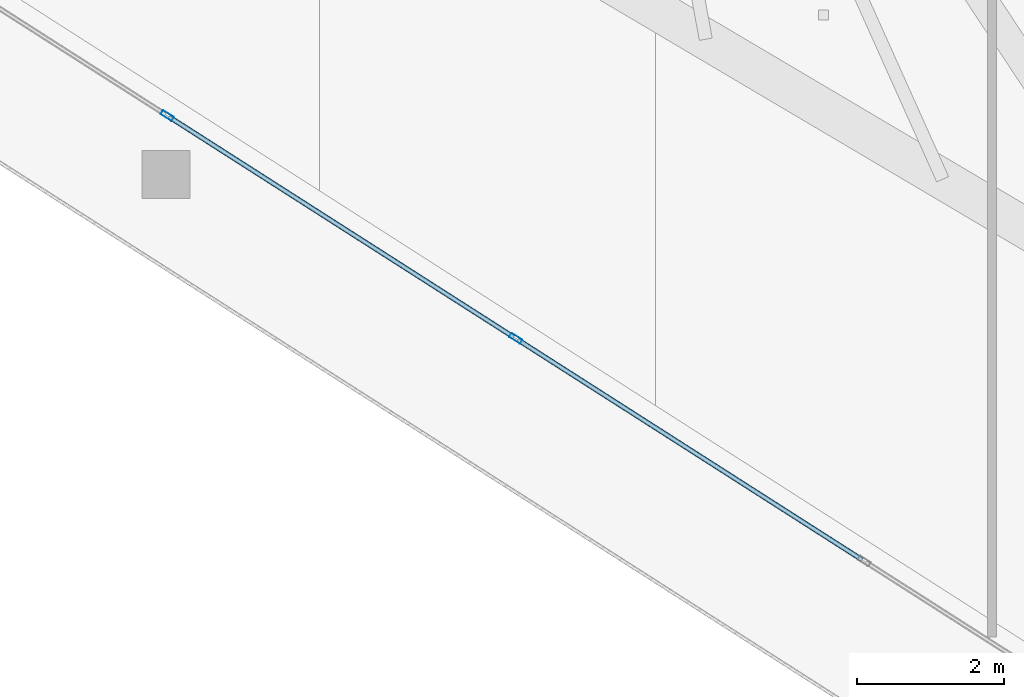
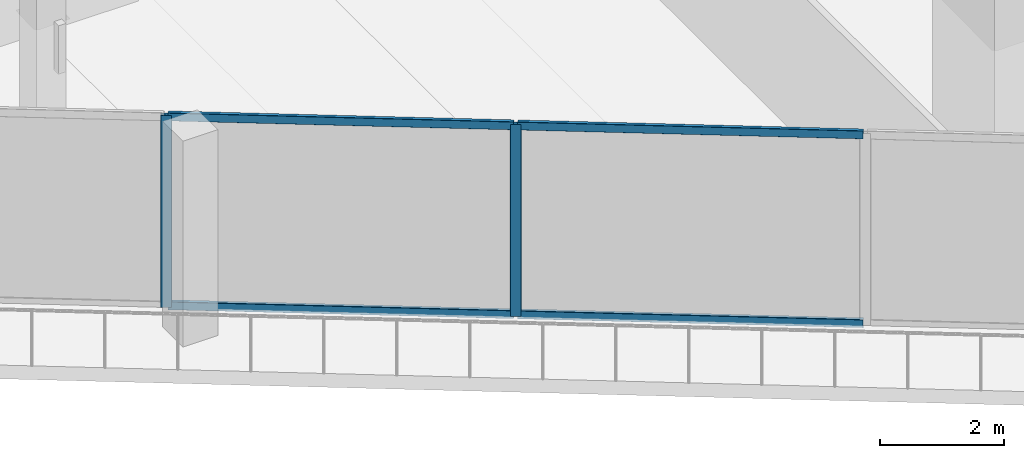
# One storey, part 3 of 36: 6 members, 1 element without a shape of its own.
"""IFC4 building model written with IfcOpenShell, lengths in metres."""

from ifc_helpers import new_model, si_unit, direction, frame, origin, origin_2d, place, context, subcontext, project, spatial, hollow_rectangle, extrude, material, layer, layer_set, material_profile, profile_set, type_object, element, aggregate, save


model = new_model("IFC4")

# Units and contexts
model_context = context("Model", 3, precision=1e-05, world=origin(), true_north=direction((0.0, 1.0)))
body_context = subcontext(model_context, "Body", "Model", "MODEL_VIEW")
ifc_project = project(units=[si_unit("LENGTHUNIT", "METRE"), si_unit("AREAUNIT", "SQUARE_METRE"), si_unit("VOLUMEUNIT", "CUBIC_METRE"), si_unit("PLANEANGLEUNIT", "RADIAN"), si_unit("MASSUNIT", "GRAM", prefix="KILO")], contexts=[model_context])

# Site, building, storey
site_placement = place(None, origin())
site = spatial("IfcSite", under=ifc_project, at=site_placement, CompositionType="ELEMENT")
building_placement = place(site_placement, origin())
building = spatial("IfcBuilding", under=site, at=building_placement, Name="Qorvath Tower", CompositionType="ELEMENT")
storey_placement = place(building_placement, frame((0.0, 0.0, 205.050048828125)))
storey = spatial("IfcBuildingStorey", under=building, at=storey_placement, Name="L47", CompositionType="ELEMENT", Elevation=205.050048828125)

# Curtain wall, members
ifc_material_1 = material(Name="Anodised aluminium and triple low-E glass", Category="aluminium")
ifc_layer = layer(ifc_material_1, 0.179931640625)
ifc_layer_set = layer_set([ifc_layer], Name="CW-SYS-3")
curtain_wall_type = type_object("IfcCurtainWallType", Name="CW-SYS-3", PredefinedType="NOTDEFINED", material=ifc_layer_set)
curtain_wall_placement = place(storey_placement, origin())
curtain_wall = element("IfcCurtainWall", 1, at=curtain_wall_placement, inside=storey, type_object=curtain_wall_type, Name="Curtain Wall CW-3 CW-T-L47-2.1", PredefinedType="NOTDEFINED")
ifc_material_2 = material(Name="Anodised aluminium 6063-T6", Category="aluminium")
ifc_material_profile_1 = material_profile(ifc_material_2, hollow_rectangle(XDim=0.06494140625, YDim=0.179931640625, WallThickness=0.00341796875, InnerFilletRadius=0.00341796875, OuterFilletRadius=0.007080078125, at=origin_2d()), Name="CWM 180x65")
ifc_profile_set_1 = profile_set([ifc_material_profile_1], Name="Anodised aluminium 6063-T6")
member_type_1 = type_object("IfcMemberType", Name="CWM-180", PredefinedType="MULLION", material=ifc_profile_set_1)
member_1_placement = place(storey_placement, frame((-31.000244140625, -18.65869140625, 0.0), z_axis=(0.0, 0.0, 1.0), x_axis=(0.538533623725, 0.842604020948, 0.0)))
member_1 = element("IfcMember", 2, at=member_1_placement, type_object=member_type_1, Name="CW-3 mullion 6", PredefinedType="MULLION", context=body_context, shape_type="SweptSolid", body=[
    extrude(hollow_rectangle(XDim=0.06494140625, YDim=0.179931640625, WallThickness=0.00341796875, InnerFilletRadius=0.00341796875, OuterFilletRadius=0.007080078125, at=origin_2d()), origin(), (0.0, 0.0, 1.0), 3.780029296875),
])
member_2_placement = place(storey_placement, frame((-26.247802734375, -21.696044921875, 0.0), z_axis=(0.0, 0.0, 1.0), x_axis=(0.538533623725, 0.842604020948, 0.0)))
member_2 = element("IfcMember", 3, at=member_2_placement, type_object=member_type_1, Name="CW-3 mullion 7", PredefinedType="MULLION", context=body_context, shape_type="SweptSolid", body=[
    extrude(hollow_rectangle(XDim=0.06494140625, YDim=0.179931640625, WallThickness=0.00341796875, InnerFilletRadius=0.00341796875, OuterFilletRadius=0.007080078125, at=origin_2d()), origin(), (0.0, 0.0, 1.0), 3.780029296875),
])
ifc_material_3 = material(Name="Anodised aluminium 6063-T6", Category="aluminium")
ifc_material_profile_2 = material_profile(ifc_material_3, hollow_rectangle(XDim=0.06494140625, YDim=0.159912109375, WallThickness=0.00341796875, InnerFilletRadius=0.00341796875, OuterFilletRadius=0.007080078125, at=origin_2d()), Name="CWT 160x65")
ifc_profile_set_2 = profile_set([ifc_material_profile_2], Name="Anodised aluminium 6063-T6")
member_type_2 = type_object("IfcMemberType", Name="CWT-160", PredefinedType="USERDEFINED", material=ifc_profile_set_2)
member_3_placement = place(storey_placement, frame((-30.972900390625, -18.67626953125, 0.032470703125), z_axis=(0.842606844645, -0.538529205667, 0.0), x_axis=(0.538529205667, 0.842606844645, 0.0)))
member_3 = element("IfcMember", 4, at=member_3_placement, type_object=member_type_2, Name="CW-3 transom 6.1", ObjectType="TRANSOM", PredefinedType="USERDEFINED", context=body_context, shape_type="SweptSolid", body=[
    extrude(hollow_rectangle(XDim=0.06494140625, YDim=0.159912109375, WallThickness=0.00341796875, InnerFilletRadius=0.00341796875, OuterFilletRadius=0.007080078125, at=origin_2d()), origin(), (0.0, 0.0, 1.0), 5.5751953125),
])
member_4_placement = place(storey_placement, frame((-30.972900390625, -18.67626953125, 3.74755859375), z_axis=(0.842606844645, -0.538529205667, 0.0), x_axis=(0.538529205667, 0.842606844645, 0.0)))
member_4 = element("IfcMember", 5, at=member_4_placement, type_object=member_type_2, Name="CW-3 transom 6.2", ObjectType="TRANSOM", PredefinedType="USERDEFINED", context=body_context, shape_type="SweptSolid", body=[
    extrude(hollow_rectangle(XDim=0.06494140625, YDim=0.159912109375, WallThickness=0.00341796875, InnerFilletRadius=0.00341796875, OuterFilletRadius=0.007080078125, at=origin_2d()), origin(), (0.0, 0.0, 1.0), 5.5751953125),
])
member_5_placement = place(storey_placement, frame((-26.220458984375, -21.713623046875, 0.032470703125), z_axis=(0.842606844645, -0.538529205667, 0.0), x_axis=(0.538529205667, 0.842606844645, 0.0)))
member_5 = element("IfcMember", 6, at=member_5_placement, type_object=member_type_2, Name="CW-3 transom 7.1", ObjectType="TRANSOM", PredefinedType="USERDEFINED", context=body_context, shape_type="SweptSolid", body=[
    extrude(hollow_rectangle(XDim=0.06494140625, YDim=0.159912109375, WallThickness=0.00341796875, InnerFilletRadius=0.00341796875, OuterFilletRadius=0.007080078125, at=origin_2d()), origin(), (0.0, 0.0, 1.0), 5.5751953125),
])
member_6_placement = place(storey_placement, frame((-26.220458984375, -21.713623046875, 3.74755859375), z_axis=(0.842606844645, -0.538529205667, 0.0), x_axis=(0.538529205667, 0.842606844645, 0.0)))
member_6 = element("IfcMember", 7, at=member_6_placement, type_object=member_type_2, Name="CW-3 transom 7.2", ObjectType="TRANSOM", PredefinedType="USERDEFINED", context=body_context, shape_type="SweptSolid", body=[
    extrude(hollow_rectangle(XDim=0.06494140625, YDim=0.159912109375, WallThickness=0.00341796875, InnerFilletRadius=0.00341796875, OuterFilletRadius=0.007080078125, at=origin_2d()), origin(), (0.0, 0.0, 1.0), 5.5751953125),
])
aggregate(curtain_wall, [member_1, member_2, member_3, member_4, member_5, member_6])

save(model, "model.ifc")
